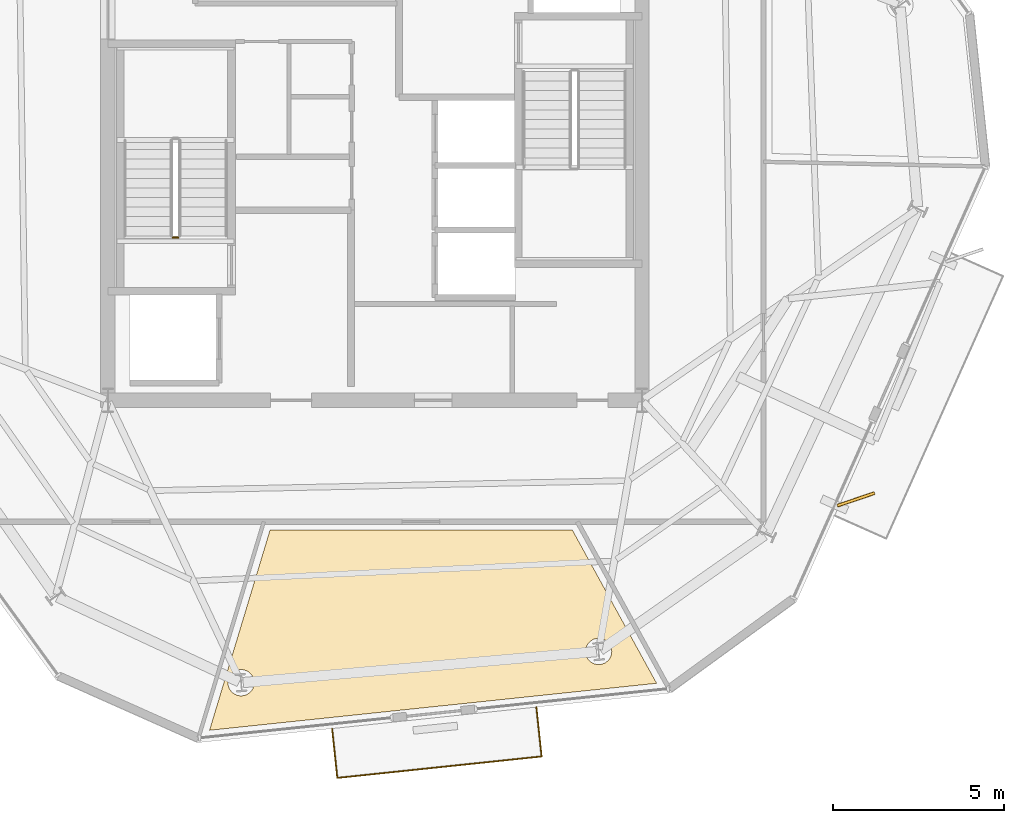
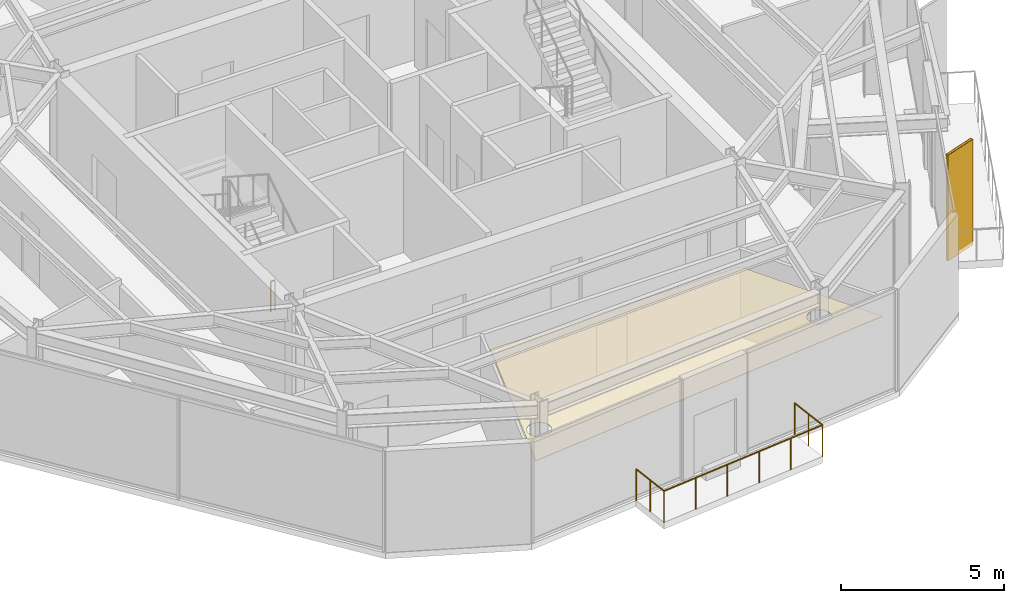
# One storey, part 9 of 11: 2 coverings, 2 railings, 1 shading device.
"""IFC4 building model written with IfcOpenShell, lengths in metres."""

from ifc_helpers import new_model, si_unit, direction, frame, origin, origin_2d, place, context, subcontext, project, spatial, polyline, rectangle, circle, outline, extrude, material, layer, layer_set, type_object, element, save


model = new_model("IFC4")

# Units and contexts
model_context = context("Model", 3, precision=1e-05, world=origin(), true_north=direction((0.0, 1.0)))
body_context = subcontext(model_context, "Body", "Model", "MODEL_VIEW")
ifc_project = project(units=[si_unit("LENGTHUNIT", "METRE"), si_unit("AREAUNIT", "SQUARE_METRE"), si_unit("VOLUMEUNIT", "CUBIC_METRE"), si_unit("PLANEANGLEUNIT", "RADIAN"), si_unit("MASSUNIT", "GRAM", prefix="KILO")], contexts=[model_context])

# Site, building, storey
site_placement = place(None, origin())
site = spatial("IfcSite", under=ifc_project, at=site_placement, CompositionType="ELEMENT")
building_placement = place(site_placement, origin())
building = spatial("IfcBuilding", under=site, at=building_placement, Name="Kranzbogen Civic Tower", CompositionType="ELEMENT")
storey_placement = place(building_placement, frame((0.0, 0.0, 290.199951171875)))
storey = spatial("IfcBuildingStorey", under=building, at=storey_placement, Name="L70", CompositionType="ELEMENT", Elevation=290.199951171875)

# Covering
ifc_material_1 = material(Name="Pale Anodised Aluminium", Category="aluminium")
ifc_layer_1 = layer(ifc_material_1, 0.02490234375, Name="Pale Anodised Aluminium")
ifc_layer_set_1 = layer_set([ifc_layer_1], Name="Pale Anodised Aluminium")
covering_type_1 = type_object("IfcCoveringType", Name="Anodised Aluminium Vertical Fin Cladding 25 mm", PredefinedType="CLADDING", material=ifc_layer_set_1)
covering_1_placement = place(storey_placement, frame((39.047119140625, 14.904052734375, -0.139892578125), z_axis=(0.0, 0.0, 1.0), x_axis=(0.946986216842, 0.321274189923, 0.0)))
element("IfcCovering", 1, at=covering_1_placement, inside=storey, type_object=covering_type_1, Name="L70 vertical fin pale-metal cladding F5-1", PredefinedType="CLADDING", context=body_context, shape_type="SweptSolid", body=[
    extrude(rectangle(XDim=1.14990234375, YDim=0.094970703125, at=origin_2d()), origin(), (0.0, 0.0, 1.0), 3.9599609375),
])

# Railings
ifc_material_2 = material(Name="Anodised Bronze Aluminium", Category="aluminium")
railing_type_1 = type_object("IfcRailingType", Name="Cantilevered Balcony Glass and Bronze Balustrade 1200", PredefinedType="BALUSTRADE", material=ifc_material_2)
railing_1_placement = place(storey_placement, frame((23.748046875, 8.2109375, 0.0)))
element("IfcRailing", 2, at=railing_1_placement, inside=storey, type_object=railing_type_1, Name="L70 exterior terrace balustrade L70-TB2", PredefinedType="BALUSTRADE", context=body_context, shape_type="SweptSolid", body=[
    extrude(circle(Radius=0.02392578125, at=origin_2d()), frame((0.0, 0.0, 1.17578125), z_axis=(0.104737376809, -0.994499915485, 0.0), x_axis=(0.994499915485, 0.104737376809, 0.0)), (0.0, 0.0, 1.0), 1.449951171875),
    extrude(circle(Radius=0.02392578125, at=origin_2d()), frame((0.15185546875, -1.44189453125, 1.17578125), z_axis=(0.99452550138, 0.104494148666, 0.0), x_axis=(-0.104494148666, 0.99452550138, 0.0)), (0.0, 0.0, 1.0), 6.0),
    extrude(circle(Radius=0.02392578125, at=origin_2d()), frame((6.118896484375, -0.81494140625, 1.17578125), z_axis=(-0.104737376809, 0.994499915485, 0.0), x_axis=(-0.994499915485, -0.104737376809, 0.0)), (0.0, 0.0, 1.0), 1.449951171875),
    extrude(circle(Radius=0.02099609375, at=origin_2d()), origin(), (0.0, 0.0, 1.0), 1.15185546875),
    extrude(circle(Radius=0.02099609375, at=origin_2d()), frame((0.075927734375, -0.720947265625, 0.0)), (0.0, 0.0, 1.0), 1.15185546875),
    extrude(circle(Radius=0.02099609375, at=origin_2d()), frame((0.15185546875, -1.44189453125, 0.0)), (0.0, 0.0, 1.0), 1.15185546875),
    extrude(circle(Radius=0.02099609375, at=origin_2d()), frame((1.34521484375, -1.31640625, 0.0)), (0.0, 0.0, 1.0), 1.15185546875),
    extrude(circle(Radius=0.02099609375, at=origin_2d()), frame((2.53857421875, -1.191162109375, 0.0)), (0.0, 0.0, 1.0), 1.15185546875),
    extrude(circle(Radius=0.02099609375, at=origin_2d()), frame((3.732177734375, -1.065673828125, 0.0)), (0.0, 0.0, 1.0), 1.15185546875),
    extrude(circle(Radius=0.02099609375, at=origin_2d()), frame((4.925537109375, -0.9404296875, 0.0)), (0.0, 0.0, 1.0), 1.15185546875),
    extrude(circle(Radius=0.02099609375, at=origin_2d()), frame((6.118896484375, -0.81494140625, 0.0)), (0.0, 0.0, 1.0), 1.15185546875),
    extrude(circle(Radius=0.02099609375, at=origin_2d()), frame((6.04296875, -0.093994140625, 0.0)), (0.0, 0.0, 1.0), 1.15185546875),
    extrude(circle(Radius=0.02099609375, at=origin_2d()), frame((5.967041015625, 0.626953125, 0.0)), (0.0, 0.0, 1.0), 1.15185546875),
])
ifc_material_3 = material(Name="Steel S355", Category="steel")
railing_type_2 = type_object("IfcRailingType", Name="Internal Stair and Void Steel Guardrail 1150", PredefinedType="GUARDRAIL", material=ifc_material_3)
railing_2_placement = place(storey_placement, frame((19.25, 22.550048828125, 0.0)))
element("IfcRailing", 3, at=railing_2_placement, inside=storey, type_object=railing_type_2, Name="L70 ST-T1 stair guard 4", PredefinedType="GUARDRAIL", context=body_context, shape_type="SweptSolid", body=[
    extrude(circle(Radius=0.02392578125, at=origin_2d()), frame((0.0, 0.0, 1.1259765625), z_axis=(-1.0, 0.0, 0.0), x_axis=(0.0, -1.0, 0.0)), (0.0, 0.0, 1.0), 0.14990234375),
    extrude(circle(Radius=0.02099609375, at=origin_2d()), origin(), (0.0, 0.0, 1.0), 1.101806640625),
    extrude(circle(Radius=0.02099609375, at=origin_2d()), frame((-0.14990234375, 0.0, 0.0)), (0.0, 0.0, 1.0), 1.101806640625),
])

# Shading device
shading_device_type = type_object("IfcShadingDeviceType", Name="Pale Anodised Aluminium Crown Fin 1150x75", PredefinedType="USERDEFINED", material=ifc_material_1)
shading_device_placement = place(storey_placement, frame((39.047119140625, 14.904052734375, -0.139892578125), z_axis=(0.0, 0.0, 1.0), x_axis=(0.946986216842, 0.321274189923, 0.0)))
element("IfcShadingDevice", 4, at=shading_device_placement, inside=storey, type_object=shading_device_type, Name="L70 vertical exterior shading fin F5-1", ObjectType="FIN", PredefinedType="USERDEFINED", context=body_context, shape_type="SweptSolid", body=[
    extrude(rectangle(XDim=1.14990234375, YDim=0.074951171875, at=origin_2d()), origin(), (0.0, 0.0, 1.0), 3.9599609375),
])

# Covering
ifc_material_4 = material(Name="Perforated Acoustic Gypsum Ceiling")
ifc_layer_2 = layer(ifc_material_4, 0.02490234375, Name="Perforated Acoustic Gypsum Ceiling")
ifc_layer_set_2 = layer_set([ifc_layer_2], Name="Perforated Acoustic Gypsum Ceiling")
covering_type_2 = type_object("IfcCoveringType", Name="Perforated Acoustic Mineral Ceiling Tile 25 mm", PredefinedType="CEILING", material=ifc_layer_set_2)
covering_2_placement = place(storey_placement, frame((0.0, 0.0, 2.75)))
element("IfcCovering", 5, at=covering_2_placement, inside=storey, type_object=covering_type_2, Name="L70 Visitor Concierge Foyer acoustic ceiling", PredefinedType="CEILING", context=body_context, shape_type="SweptSolid", body=[
    extrude(outline(polyline([(21.93505859375, 14.0048828125), (30.76708984375, 14.0048828125), (33.22607421875, 9.532958984375), (20.1689453125, 8.160888671875), (21.93505859375, 14.0048828125)]), holes=[polyline([(21.445068359375, 9.403076171875), (21.428955078125, 9.368896484375), (21.409912109375, 9.3369140625), (21.386962890625, 9.306884765625), (21.362060546875, 9.279052734375), (21.333984375, 9.25390625), (21.303955078125, 9.23095703125), (21.27197265625, 9.2119140625), (21.238037109375, 9.196044921875), (21.201904296875, 9.18310546875), (21.166015625, 9.174072265625), (21.12890625, 9.16796875), (21.091064453125, 9.1669921875), (21.052978515625, 9.16796875), (21.01611328125, 9.174072265625), (20.97998046875, 9.18310546875), (20.944091796875, 9.196044921875), (20.909912109375, 9.2119140625), (20.8779296875, 9.23095703125), (20.847900390625, 9.25390625), (20.820068359375, 9.279052734375), (20.794921875, 9.306884765625), (20.77197265625, 9.3369140625), (20.7529296875, 9.368896484375), (20.737060546875, 9.403076171875), (20.72412109375, 9.43896484375), (20.715087890625, 9.47509765625), (20.708984375, 9.511962890625), (20.7080078125, 9.550048828125), (20.708984375, 9.587890625), (20.715087890625, 9.625), (20.72412109375, 9.660888671875), (20.737060546875, 9.697021484375), (20.7529296875, 9.73095703125), (20.77197265625, 9.762939453125), (20.794921875, 9.79296875), (20.820068359375, 9.821044921875), (20.847900390625, 9.845947265625), (20.8779296875, 9.868896484375), (20.909912109375, 9.887939453125), (20.944091796875, 9.904052734375), (20.97998046875, 9.9169921875), (21.01611328125, 9.926025390625), (21.052978515625, 9.931884765625), (21.091064453125, 9.93310546875), (21.12890625, 9.931884765625), (21.166015625, 9.926025390625), (21.201904296875, 9.9169921875), (21.238037109375, 9.904052734375), (21.27197265625, 9.887939453125), (21.303955078125, 9.868896484375), (21.333984375, 9.845947265625), (21.362060546875, 9.821044921875), (21.386962890625, 9.79296875), (21.409912109375, 9.762939453125), (21.428955078125, 9.73095703125), (21.445068359375, 9.697021484375), (21.4580078125, 9.660888671875), (21.467041015625, 9.625), (21.472900390625, 9.587890625), (21.47412109375, 9.550048828125), (21.472900390625, 9.511962890625), (21.467041015625, 9.47509765625), (21.4580078125, 9.43896484375), (21.445068359375, 9.403076171875)]), polyline([(31.886962890625, 10.31689453125), (31.87109375, 10.282958984375), (31.85205078125, 10.2509765625), (31.8291015625, 10.220947265625), (31.803955078125, 10.193115234375), (31.77587890625, 10.16796875), (31.74609375, 10.14501953125), (31.714111328125, 10.1259765625), (31.679931640625, 10.110107421875), (31.64404296875, 10.096923828125), (31.60791015625, 10.087890625), (31.571044921875, 10.08203125), (31.532958984375, 10.0810546875), (31.4951171875, 10.08203125), (31.4580078125, 10.087890625), (31.422119140625, 10.096923828125), (31.385986328125, 10.110107421875), (31.35205078125, 10.1259765625), (31.320068359375, 10.14501953125), (31.2900390625, 10.16796875), (31.261962890625, 10.193115234375), (31.237060546875, 10.220947265625), (31.214111328125, 10.2509765625), (31.195068359375, 10.282958984375), (31.178955078125, 10.31689453125), (31.166015625, 10.35302734375), (31.156982421875, 10.388916015625), (31.15087890625, 10.426025390625), (31.14990234375, 10.464111328125), (31.15087890625, 10.501953125), (31.156982421875, 10.5390625), (31.166015625, 10.574951171875), (31.178955078125, 10.611083984375), (31.195068359375, 10.64501953125), (31.214111328125, 10.677001953125), (31.237060546875, 10.70703125), (31.261962890625, 10.735107421875), (31.2900390625, 10.760009765625), (31.320068359375, 10.782958984375), (31.35205078125, 10.802001953125), (31.385986328125, 10.818115234375), (31.422119140625, 10.8310546875), (31.4580078125, 10.840087890625), (31.4951171875, 10.845947265625), (31.532958984375, 10.846923828125), (31.571044921875, 10.845947265625), (31.60791015625, 10.840087890625), (31.64404296875, 10.8310546875), (31.679931640625, 10.818115234375), (31.714111328125, 10.802001953125), (31.74609375, 10.782958984375), (31.77587890625, 10.760009765625), (31.803955078125, 10.735107421875), (31.8291015625, 10.70703125), (31.85205078125, 10.677001953125), (31.87109375, 10.64501953125), (31.886962890625, 10.611083984375), (31.89990234375, 10.574951171875), (31.908935546875, 10.5390625), (31.9150390625, 10.501953125), (31.916015625, 10.464111328125), (31.9150390625, 10.426025390625), (31.908935546875, 10.388916015625), (31.89990234375, 10.35302734375), (31.886962890625, 10.31689453125)])]), origin(), (0.0, 0.0, 1.0), 0.025146484375),
])

save(model, "model.ifc")
